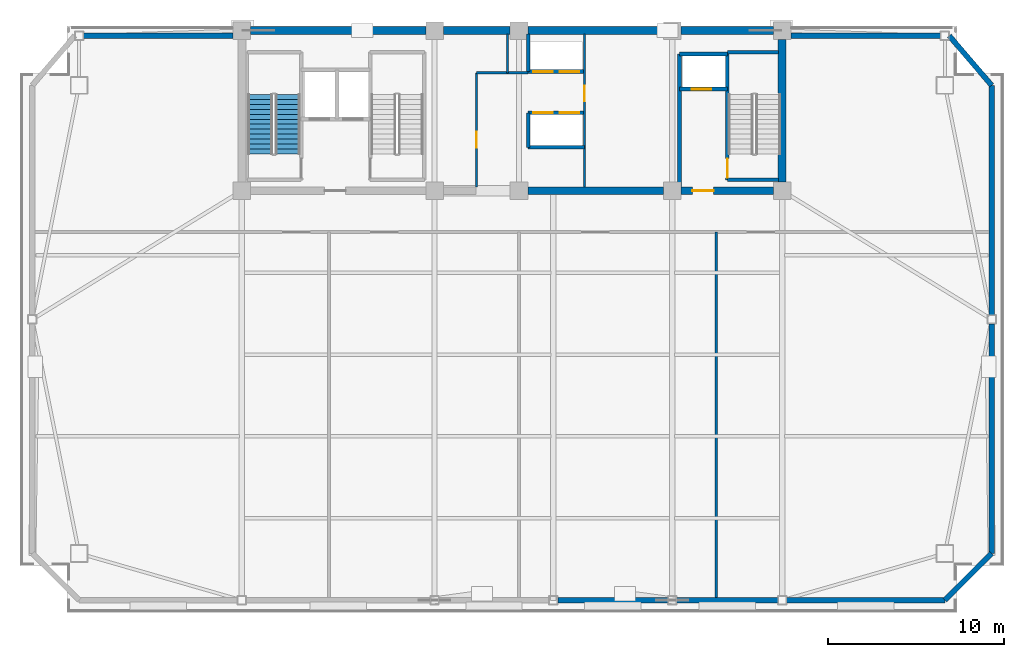
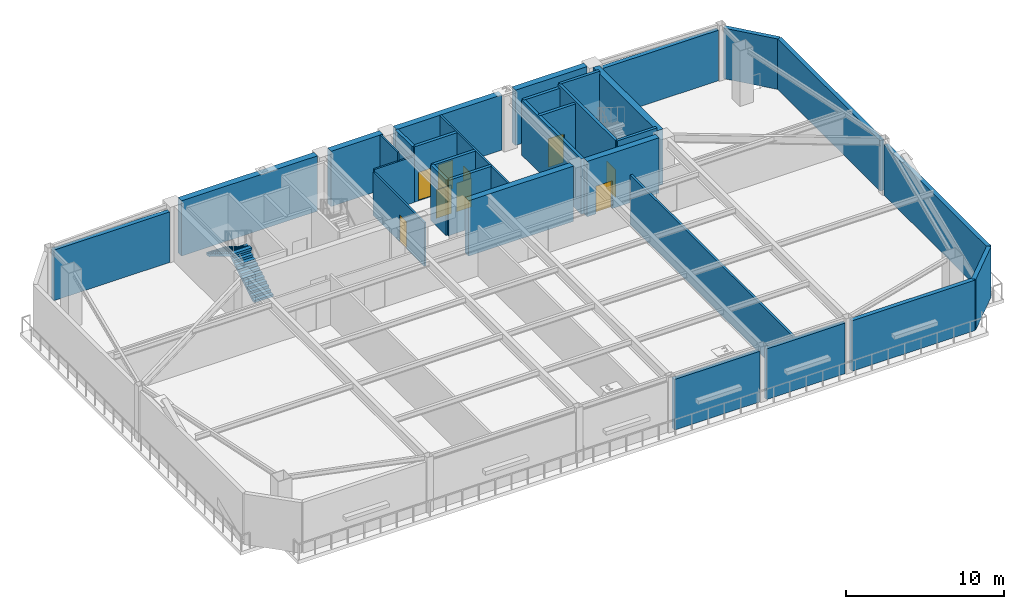
# One storey, part 3 of 9: 32 walls, 9 doors, 2 stair flights, 9 openings, 1 element without a shape of its own.
"""IFC4 building model written with IfcOpenShell, lengths in metres."""

from ifc_helpers import new_model, si_unit, direction, frame, frame_2d, origin, place, context, subcontext, project, spatial, polyline, rectangle, outline, extrude, source, transform, mapped, material, layer, layer_set, type_object, element, fill, aggregate, save


model = new_model("IFC4")

# Units and contexts
model_context = context("Model", 3, precision=1e-05, world=origin(), true_north=direction((0.0, 1.0)))
body_context = subcontext(model_context, "Body", "Model", "MODEL_VIEW")
ifc_project = project(units=[si_unit("LENGTHUNIT", "METRE"), si_unit("AREAUNIT", "SQUARE_METRE"), si_unit("VOLUMEUNIT", "CUBIC_METRE"), si_unit("PLANEANGLEUNIT", "RADIAN"), si_unit("MASSUNIT", "GRAM", prefix="KILO")], contexts=[model_context])

# Site, building, storey
site_placement = place(None, origin())
site = spatial("IfcSite", under=ifc_project, at=site_placement, CompositionType="ELEMENT")
building_placement = place(site_placement, origin())
building = spatial("IfcBuilding", under=site, at=building_placement, Name="Giltprow Tower", CompositionType="ELEMENT")
storey_placement = place(building_placement, frame((0.0, 0.0, 237.199951171875)))
storey = spatial("IfcBuildingStorey", under=building, at=storey_placement, Name="L60", CompositionType="ELEMENT", Elevation=237.199951171875)

# Walls
ifc_material_1 = material(Name="Precast concrete C40", Category="concrete")
ifc_layer_1 = layer(ifc_material_1, 0.300048828125, Name="Precast concrete C40")
ifc_layer_set_1 = layer_set([ifc_layer_1], Name="Precast concrete C40")
wall_type_1 = type_object("IfcWallType", Name="EW-NOTCH-CHAMFER-300", PredefinedType="SOLIDWALL", material=ifc_layer_set_1)
wall_1_placement = place(storey_placement, frame((59.791015625, 14.181884765625, 0.0), z_axis=(0.0, 0.0, 1.0), x_axis=(0.707074342864, 0.707139218021, 0.0)))
element("IfcWall", 1, at=wall_1_placement, inside=storey, type_object=wall_type_1, Name="L60 Corner Notch Wall SE", PredefinedType="SOLIDWALL", context=body_context, shape_type="SweptSolid", body=[
    extrude(rectangle(XDim=3.76318359375, YDim=0.300048828125, at=frame_2d((1.881591796875, 0.0))), origin(), (0.0, 0.0, 1.0), 3.9150390625),
])
wall_2_placement = place(storey_placement, frame((62.451904296875, 43.43896484375, 0.0), z_axis=(0.0, 0.0, 1.0), x_axis=(-0.651013940872, 0.759065773692, 0.0)))
element("IfcWall", 2, at=wall_2_placement, inside=storey, type_object=wall_type_1, Name="L60 Corner Notch Wall NE", PredefinedType="SOLIDWALL", context=body_context, shape_type="SweptSolid", body=[
    extrude(rectangle(XDim=3.703369140625, YDim=0.300048828125, at=frame_2d((1.8515625, 0.0))), origin(), (0.0, 0.0, 1.0), 3.9150390625),
])
ifc_layer_2 = layer(ifc_material_1, 0.300048828125, Name="Precast concrete C40")
ifc_layer_set_2 = layer_set([ifc_layer_2], Name="Precast concrete C40")
wall_type_2 = type_object("IfcWallType", Name="EW-REF-LOUVRE-300", PredefinedType="SOLIDWALL", material=ifc_layer_set_2)
wall_3_placement = place(storey_placement, frame((37.800048828125, 14.181884765625, 0.0), z_axis=(0.0, 0.0, 1.0), x_axis=(1.0, 0.0, 0.0)))
element("IfcWall", 3, at=wall_3_placement, inside=storey, type_object=wall_type_2, Name="L60 South Expressed Frame Wall 4", PredefinedType="SOLIDWALL", context=body_context, shape_type="SweptSolid", body=[
    extrude(rectangle(XDim=6.25, YDim=0.300048828125, at=frame_2d((3.125, 0.0))), origin(), (0.0, 0.0, 1.0), 3.9150390625),
])
wall_4_placement = place(storey_placement, frame((44.550048828125, 14.181884765625, 0.0), z_axis=(0.0, 0.0, 1.0), x_axis=(1.0, 0.0, 0.0)))
element("IfcWall", 4, at=wall_4_placement, inside=storey, type_object=wall_type_2, Name="L60 South Expressed Frame Wall 5", PredefinedType="SOLIDWALL", context=body_context, shape_type="SweptSolid", body=[
    extrude(rectangle(XDim=5.75, YDim=0.300048828125, at=frame_2d((2.875, 0.0))), origin(), (0.0, 0.0, 1.0), 3.9150390625),
])
wall_5_placement = place(storey_placement, frame((50.800048828125, 14.181884765625, 0.0), z_axis=(0.0, 0.0, 1.0), x_axis=(1.0, 0.0, 0.0)))
element("IfcWall", 5, at=wall_5_placement, inside=storey, type_object=wall_type_2, Name="L60 South Expressed Frame Wall 6", PredefinedType="SOLIDWALL", context=body_context, shape_type="SweptSolid", body=[
    extrude(rectangle(XDim=8.990966796875, YDim=0.300048828125, at=frame_2d((4.49560546875, 0.0))), origin(), (0.0, 0.0, 1.0), 3.9150390625),
])
wall_6_placement = place(storey_placement, frame((62.451904296875, 16.843017578125, 0.0), z_axis=(0.0, 0.0, 1.0), x_axis=(0.0, 1.0, 0.0)))
element("IfcWall", 6, at=wall_6_placement, inside=storey, type_object=wall_type_2, Name="L60 E Wing Masonry Wall 1", PredefinedType="SOLIDWALL", context=body_context, shape_type="SweptSolid", body=[
    extrude(rectangle(XDim=13.048095703125, YDim=0.300048828125, at=frame_2d((6.52392578125, 0.0))), origin(), (0.0, 0.0, 1.0), 3.9150390625),
])
wall_7_placement = place(storey_placement, frame((62.451904296875, 30.39111328125, 0.0), z_axis=(0.0, 0.0, 1.0), x_axis=(0.0, 1.0, 0.0)))
element("IfcWall", 7, at=wall_7_placement, inside=storey, type_object=wall_type_2, Name="L60 E Wing Masonry Wall 2", PredefinedType="SOLIDWALL", context=body_context, shape_type="SweptSolid", body=[
    extrude(rectangle(XDim=13.0478515625, YDim=0.300048828125, at=frame_2d((6.52392578125, 0.0))), origin(), (0.0, 0.0, 1.0), 3.9150390625),
])
wall_8_placement = place(storey_placement, frame((10.85888671875, 46.25, 0.0), z_axis=(0.0, 0.0, 1.0), x_axis=(1.0, 0.0, 0.0)))
element("IfcWall", 8, at=wall_8_placement, inside=storey, type_object=wall_type_2, Name="L60 North-West Wing Wall", PredefinedType="SOLIDWALL", context=body_context, shape_type="SweptSolid", body=[
    extrude(rectangle(XDim=8.4912109375, YDim=0.300048828125, at=frame_2d((4.24560546875, 0.0))), origin(), (0.0, 0.0, 1.0), 3.9150390625),
])
wall_9_placement = place(storey_placement, frame((51.050048828125, 46.25, 0.0), z_axis=(0.0, 0.0, 1.0), x_axis=(1.0, 0.0, 0.0)))
element("IfcWall", 9, at=wall_9_placement, inside=storey, type_object=wall_type_2, Name="L60 North-East Wing Wall", PredefinedType="SOLIDWALL", context=body_context, shape_type="SweptSolid", body=[
    extrude(rectangle(XDim=8.490966796875, YDim=0.300048828125, at=frame_2d((4.24560546875, 0.0))), origin(), (0.0, 0.0, 1.0), 3.9150390625),
])
ifc_material_2 = material(Name="Gypsum stud partition", Category="gypsum")
ifc_layer_3 = layer(ifc_material_2, 0.159912109375, Name="Gypsum stud partition")
ifc_layer_set_3 = layer_set([ifc_layer_3], Name="Gypsum stud partition")
wall_type_3 = type_object("IfcWallType", Name="IW-DEMISE-160", PredefinedType="PARTITIONING", material=ifc_layer_set_3)
wall_10_placement = place(storey_placement, frame((46.800048828125, 14.181884765625, 0.0), z_axis=(0.0, 0.0, 1.0), x_axis=(0.0, 1.0, 0.0)))
element("IfcWall", 10, at=wall_10_placement, inside=storey, type_object=wall_type_3, Name="L60 Refuge Compartment Wall 3", PredefinedType="PARTITIONING", context=body_context, shape_type="SweptSolid", body=[
    extrude(rectangle(XDim=20.918212890625, YDim=0.159912109375, at=frame_2d((10.458984375, 0.0))), origin(), (0.0, 0.0, 1.0), 3.8701171875),
])

# Wall, opening, door
ifc_material_3 = material(Name="Concrete C40", Category="concrete")
ifc_layer_4 = layer(ifc_material_3, 0.219970703125, Name="Concrete C40")
ifc_layer_set_4 = layer_set([ifc_layer_4], Name="Concrete C40")
wall_type_4 = type_object("IfcWallType", Name="IW-SHAFT-220", PredefinedType="SOLIDWALL", material=ifc_layer_set_4)
wall_11_placement = place(storey_placement, frame((44.719970703125, 43.219970703125, 0.0), z_axis=(0.0, 0.0, 1.0), x_axis=(1.0, 0.0, 0.0)))
wall_11 = element("IfcWall", 11, at=wall_11_placement, inside=storey, type_object=wall_type_4, Name="L60 FFL2 Front Shaft Wall", PredefinedType="SOLIDWALL", context=body_context, shape_type="SweptSolid", body=[
    extrude(rectangle(XDim=2.719970703125, YDim=0.219970703125, at=frame_2d((1.35986328125, 0.0))), origin(), (0.0, 0.0, 1.0), 4.28515625),
])
opening_1_placement = place(wall_11_placement, frame((0.699951171875, 0.0, 0.0)))
opening_1 = element("IfcOpeningElement", 12, at=opening_1_placement, cuts=wall_11, Name="Opening LD-11", PredefinedType="OPENING", context=body_context, shape_type="SweptSolid", body=[
    extrude(rectangle(XDim=1.10009765625, YDim=2.199951171875, at=frame_2d((0.550048828125, 1.10009765625))), frame((0.0, 0.119873046875, 0.0), z_axis=(0.0, -1.0, 0.0), x_axis=(1.0, 0.0, 0.0)), (0.0, 0.0, 1.0), 0.239990234375),
])
ifc_material_4 = material(Name="Stainless steel", Category="steel")
door_type_1 = type_object("IfcDoorType", Name="DR-LIFT-LD1100", OperationType="SLIDING_TO_LEFT", PredefinedType="DOOR", material=ifc_material_4)
shared_shape_1 = source(origin(), body_context, "Body", "SweptSolid", [
    extrude(rectangle(XDim=1.10009765625, YDim=2.199951171875, at=frame_2d((0.550048828125, 1.10009765625))), frame((0.0, 0.02490234375, 0.0), z_axis=(0.0, -1.0, 0.0), x_axis=(1.0, 0.0, 0.0)), (0.0, 0.0, 1.0), 0.050048828125),
])
door_1_placement = place(opening_1_placement, origin())
door_1 = element("IfcDoor", 13, at=door_1_placement, inside=storey, type_object=door_type_1, Name="L60 FFL2 Landing Door", OperationType="SLIDING_TO_LEFT", OverallHeight=2.199951171875, OverallWidth=1.10009765625, PredefinedType="DOOR", context=body_context, shape_type="MappedRepresentation", body=[
    mapped(shared_shape_1, transform((0.0, 0.0, 0.0), x_axis=(1.0, 0.0, 0.0), y_axis=(0.0, 1.0, 0.0), z_axis=(0.0, 0.0, 1.0), scale=1.0)),
])
fill(opening_1, door_1)

# Walls
wall_12_placement = place(storey_placement, frame((44.719970703125, 45.219970703125, 0.0), z_axis=(0.0, 0.0, 1.0), x_axis=(1.0, 0.0, 0.0)))
element("IfcWall", 14, at=wall_12_placement, inside=storey, type_object=wall_type_4, Name="L60 FFL2 Back Shaft Wall", PredefinedType="SOLIDWALL", context=body_context, shape_type="SweptSolid", body=[
    extrude(rectangle(XDim=2.719970703125, YDim=0.219970703125, at=frame_2d((1.35986328125, 0.0))), origin(), (0.0, 0.0, 1.0), 4.28515625),
])
wall_13_placement = place(storey_placement, frame((44.719970703125, 37.655029296875, 0.0), z_axis=(0.0, 0.0, 1.0), x_axis=(0.0, 1.0, 0.0)))
element("IfcWall", 15, at=wall_13_placement, inside=storey, type_object=wall_type_4, Name="L60 East Firefighting Lobby West Wall", PredefinedType="SOLIDWALL", context=body_context, shape_type="SweptSolid", body=[
    extrude(rectangle(XDim=7.56494140625, YDim=0.219970703125, at=frame_2d((3.782470703125, 0.0))), origin(), (0.0, 0.0, 1.0), 4.28515625),
])

# Wall, openings, doors
wall_14_placement = place(storey_placement, frame((36.1201171875, 44.219970703125, 0.0), z_axis=(0.0, 0.0, 1.0), x_axis=(1.0, 0.0, 0.0)))
wall_14 = element("IfcWall", 16, at=wall_14_placement, inside=storey, type_object=wall_type_4, Name="L60 High-Rise Lift Shaft Front Wall N", PredefinedType="SOLIDWALL", context=body_context, shape_type="SweptSolid", body=[
    extrude(rectangle(XDim=3.199951171875, YDim=0.219970703125, at=frame_2d((1.60009765625, 0.0))), origin(), (0.0, 0.0, 1.0), 4.28515625),
])
opening_2_placement = place(wall_14_placement, frame((0.300048828125, 0.0, 0.0)))
opening_2 = element("IfcOpeningElement", 17, at=opening_2_placement, cuts=wall_14, Name="Opening LD-11", PredefinedType="OPENING", context=body_context, shape_type="SweptSolid", body=[
    extrude(rectangle(XDim=1.10009765625, YDim=2.199951171875, at=frame_2d((0.550048828125, 1.10009765625))), frame((0.0, 0.119873046875, 0.0), z_axis=(0.0, -1.0, 0.0), x_axis=(1.0, 0.0, 0.0)), (0.0, 0.0, 1.0), 0.239990234375),
])
opening_3_placement = place(wall_14_placement, frame((1.7900390625, 0.0, 0.0)))
opening_3 = element("IfcOpeningElement", 18, at=opening_3_placement, cuts=wall_14, Name="Opening LD-11", PredefinedType="OPENING", context=body_context, shape_type="SweptSolid", body=[
    extrude(rectangle(XDim=1.10009765625, YDim=2.199951171875, at=frame_2d((0.550048828125, 1.10009765625))), frame((0.0, 0.119873046875, 0.0), z_axis=(0.0, -1.0, 0.0), x_axis=(1.0, 0.0, 0.0)), (0.0, 0.0, 1.0), 0.239990234375),
])
door_2_placement = place(opening_2_placement, origin())
door_2 = element("IfcDoor", 19, at=door_2_placement, inside=storey, type_object=door_type_1, Name="L60 PL-H1 Landing Door", OperationType="SLIDING_TO_LEFT", OverallHeight=2.199951171875, OverallWidth=1.10009765625, PredefinedType="DOOR", context=body_context, shape_type="MappedRepresentation", body=[
    mapped(shared_shape_1, transform((0.0, 0.0, 0.0), x_axis=(1.0, 0.0, 0.0), y_axis=(0.0, 1.0, 0.0), z_axis=(0.0, 0.0, 1.0), scale=1.0)),
])
fill(opening_2, door_2)
door_3_placement = place(opening_3_placement, origin())
door_3 = element("IfcDoor", 20, at=door_3_placement, inside=storey, type_object=door_type_1, Name="L60 PL-H2 Landing Door", OperationType="SLIDING_TO_LEFT", OverallHeight=2.199951171875, OverallWidth=1.10009765625, PredefinedType="DOOR", context=body_context, shape_type="MappedRepresentation", body=[
    mapped(shared_shape_1, transform((0.0, 0.0, 0.0), x_axis=(1.0, 0.0, 0.0), y_axis=(0.0, 1.0, 0.0), z_axis=(0.0, 0.0, 1.0), scale=1.0)),
])
fill(opening_3, door_3)

wall_15_placement = place(storey_placement, frame((36.1201171875, 41.8798828125, 0.0), z_axis=(0.0, 0.0, 1.0), x_axis=(1.0, 0.0, 0.0)))
wall_15 = element("IfcWall", 21, at=wall_15_placement, inside=storey, type_object=wall_type_4, Name="L60 High-Rise Lift Shaft Front Wall S", PredefinedType="SOLIDWALL", context=body_context, shape_type="SweptSolid", body=[
    extrude(rectangle(XDim=3.199951171875, YDim=0.219970703125, at=frame_2d((1.60009765625, 0.0))), origin(), (0.0, 0.0, 1.0), 4.28515625),
])
opening_4_placement = place(wall_15_placement, frame((0.300048828125, 0.0, 0.0)))
opening_4 = element("IfcOpeningElement", 22, at=opening_4_placement, cuts=wall_15, Name="Opening LD-11", PredefinedType="OPENING", context=body_context, shape_type="SweptSolid", body=[
    extrude(rectangle(XDim=1.10009765625, YDim=2.199951171875, at=frame_2d((0.550048828125, 1.10009765625))), frame((0.0, 0.119873046875, 0.0), z_axis=(0.0, -1.0, 0.0), x_axis=(1.0, 0.0, 0.0)), (0.0, 0.0, 1.0), 0.239990234375),
])
opening_5_placement = place(wall_15_placement, frame((1.7900390625, 0.0, 0.0)))
opening_5 = element("IfcOpeningElement", 23, at=opening_5_placement, cuts=wall_15, Name="Opening LD-11", PredefinedType="OPENING", context=body_context, shape_type="SweptSolid", body=[
    extrude(rectangle(XDim=1.10009765625, YDim=2.199951171875, at=frame_2d((0.550048828125, 1.10009765625))), frame((0.0, 0.119873046875, 0.0), z_axis=(0.0, -1.0, 0.0), x_axis=(1.0, 0.0, 0.0)), (0.0, 0.0, 1.0), 0.239990234375),
])
door_4_placement = place(opening_4_placement, origin())
door_4 = element("IfcDoor", 24, at=door_4_placement, inside=storey, type_object=door_type_1, Name="L60 PL-H3 Landing Door", OperationType="SLIDING_TO_LEFT", OverallHeight=2.199951171875, OverallWidth=1.10009765625, PredefinedType="DOOR", context=body_context, shape_type="MappedRepresentation", body=[
    mapped(shared_shape_1, transform((0.0, 0.0, 0.0), x_axis=(1.0, 0.0, 0.0), y_axis=(0.0, 1.0, 0.0), z_axis=(0.0, 0.0, 1.0), scale=1.0)),
])
fill(opening_4, door_4)
door_5_placement = place(opening_5_placement, origin())
door_5 = element("IfcDoor", 25, at=door_5_placement, inside=storey, type_object=door_type_1, Name="L60 PL-H4 Landing Door", OperationType="SLIDING_TO_LEFT", OverallHeight=2.199951171875, OverallWidth=1.10009765625, PredefinedType="DOOR", context=body_context, shape_type="MappedRepresentation", body=[
    mapped(shared_shape_1, transform((0.0, 0.0, 0.0), x_axis=(1.0, 0.0, 0.0), y_axis=(0.0, 1.0, 0.0), z_axis=(0.0, 0.0, 1.0), scale=1.0)),
])
fill(opening_5, door_5)

# Walls
wall_16_placement = place(storey_placement, frame((36.1201171875, 39.919921875, 0.0), z_axis=(0.0, 0.0, 1.0), x_axis=(1.0, 0.0, 0.0)))
element("IfcWall", 26, at=wall_16_placement, inside=storey, type_object=wall_type_4, Name="L60 High-Rise South Lift Back Wall", PredefinedType="SOLIDWALL", context=body_context, shape_type="SweptSolid", body=[
    extrude(rectangle(XDim=3.199951171875, YDim=0.219970703125, at=frame_2d((1.60009765625, 0.0))), origin(), (0.0, 0.0, 1.0), 4.28515625),
])
wall_17_placement = place(storey_placement, frame((36.1201171875, 39.919921875, 0.0), z_axis=(0.0, 0.0, 1.0), x_axis=(0.0, 1.0, 0.0)))
element("IfcWall", 27, at=wall_17_placement, inside=storey, type_object=wall_type_4, Name="L60 High-Rise South Lift West Closure", PredefinedType="SOLIDWALL", context=body_context, shape_type="SweptSolid", body=[
    extrude(rectangle(XDim=1.9599609375, YDim=0.219970703125, at=frame_2d((0.97998046875, 0.0))), origin(), (0.0, 0.0, 1.0), 4.28515625),
])
wall_18_placement = place(storey_placement, frame((36.1201171875, 44.219970703125, 0.0), z_axis=(0.0, 0.0, 1.0), x_axis=(0.0, 1.0, 0.0)))
element("IfcWall", 28, at=wall_18_placement, inside=storey, type_object=wall_type_4, Name="L60 High-Rise North Lift West Closure", PredefinedType="SOLIDWALL", context=body_context, shape_type="SweptSolid", body=[
    extrude(rectangle(XDim=2.125, YDim=0.219970703125, at=frame_2d((1.0625, 0.0))), origin(), (0.0, 0.0, 1.0), 4.28515625),
])

# Wall, opening, door
ifc_layer_5 = layer(ifc_material_3, 0.199951171875, Name="Concrete C40")
ifc_layer_set_5 = layer_set([ifc_layer_5], Name="Concrete C40")
wall_type_5 = type_object("IfcWallType", Name="IW-STAIR-200", PredefinedType="SOLIDWALL", material=ifc_layer_set_5)
wall_19_placement = place(storey_placement, frame((47.43994140625, 38.070068359375, 0.0), z_axis=(0.0, 0.0, 1.0), x_axis=(0.0, 1.0, 0.0)))
wall_19 = element("IfcWall", 29, at=wall_19_placement, inside=storey, type_object=wall_type_5, Name="L60 Stair ST-3 West Bearing Wall", PredefinedType="SOLIDWALL", context=body_context, shape_type="SweptSolid", body=[
    extrude(rectangle(XDim=7.25, YDim=0.199951171875, at=frame_2d((3.625, 0.0))), origin(), (0.0, 0.0, 1.0), 4.5),
])
opening_6_placement = place(wall_19_placement, frame((0.110107421875, 0.0, 0.0)))
opening_6 = element("IfcOpeningElement", 30, at=opening_6_placement, cuts=wall_19, Name="Opening ID33", PredefinedType="OPENING", context=body_context, shape_type="SweptSolid", body=[
    extrude(rectangle(XDim=1.10009765625, YDim=2.14990234375, at=frame_2d((0.550048828125, 1.074951171875))), frame((0.0, 0.10986328125, 0.0), z_axis=(0.0, -1.0, 0.0), x_axis=(1.0, 0.0, 0.0)), (0.0, 0.0, 1.0), 0.219970703125),
])
ifc_material_5 = material(Name="Steel fire leaf", Category="steel")
door_type_2 = type_object("IfcDoorType", Name="DR-STAIR-1100", OperationType="SINGLE_SWING_LEFT", PredefinedType="DOOR", material=ifc_material_5)
shared_shape_2 = source(origin(), body_context, "Body", "SweptSolid", [
    extrude(rectangle(XDim=1.10009765625, YDim=2.14990234375, at=frame_2d((0.550048828125, 1.074951171875))), frame((0.0, 0.02490234375, 0.0), z_axis=(0.0, -1.0, 0.0), x_axis=(1.0, 0.0, 0.0)), (0.0, 0.0, 1.0), 0.050048828125),
])
door_6_placement = place(opening_6_placement, origin())
door_6 = element("IfcDoor", 31, at=door_6_placement, inside=storey, type_object=door_type_2, Name="L60 Stair ST-3 Fire Door", OperationType="SINGLE_SWING_RIGHT", OverallHeight=2.14990234375, OverallWidth=1.10009765625, PredefinedType="DOOR", context=body_context, shape_type="MappedRepresentation", body=[
    mapped(shared_shape_2, transform((0.0, 0.0, 0.0), x_axis=(1.0, 0.0, 0.0), y_axis=(0.0, 1.0, 0.0), z_axis=(0.0, 0.0, 1.0), scale=1.0)),
])
fill(opening_6, door_6)

# Walls
for number, where, z_axis, x_axis, name in (
    (32, (47.43994140625, 45.320068359375, 0.0), (0.0, 0.0, 1.0), (1.0, 0.0, 0.0), "L60 Stair ST-3 North Bearing Wall"),
    (33, (47.43994140625, 38.070068359375, 0.0), (0.0, 0.0, 1.0), (1.0, 0.0, 0.0), "L60 Stair ST-3 South Bearing Wall"),
):
    element("IfcWall", number, at=place(storey_placement, frame(where, z_axis=z_axis, x_axis=x_axis)), inside=storey, type_object=wall_type_5, Name=name, PredefinedType="SOLIDWALL", context=body_context, shape_type="SweptSolid", body=[
        extrude(rectangle(XDim=2.905029296875, YDim=0.199951171875, at=frame_2d((1.45263671875, 0.0))), origin(), (0.0, 0.0, 1.0), 4.5),
    ])

# Wall, opening, door
ifc_material_6 = material(Name="Concrete C30", Category="concrete")
ifc_layer_6 = layer(ifc_material_6, 0.1298828125, Name="Concrete C30")
ifc_layer_set_6 = layer_set([ifc_layer_6], Name="Concrete C30")
wall_type_6 = type_object("IfcWallType", Name="IW-WET-130", PredefinedType="PARTITIONING", material=ifc_layer_set_6)
wall_20_placement = place(storey_placement, frame((33.179931640625, 37.655029296875, 0.0), z_axis=(0.0, 0.0, 1.0), x_axis=(0.0, 1.0, 0.0)))
wall_20 = element("IfcWall", 34, at=wall_20_placement, inside=storey, type_object=wall_type_6, Name="L60 Reclaimed West Core Wall", PredefinedType="PARTITIONING", context=body_context, shape_type="SweptSolid", body=[
    extrude(rectangle(XDim=6.494873046875, YDim=0.1298828125, at=frame_2d((3.24755859375, 0.0))), origin(), (0.0, 0.0, 1.0), 3.3701171875),
])
opening_7_placement = place(wall_20_placement, frame((2.2451171875, 0.0, 0.0)))
opening_7 = element("IfcOpeningElement", 35, at=opening_7_placement, cuts=wall_20, Name="Opening ID35", PredefinedType="OPENING", context=body_context, shape_type="SweptSolid", body=[
    extrude(rectangle(XDim=0.89990234375, YDim=2.10009765625, at=frame_2d((0.449951171875, 1.050048828125))), frame((0.0, 0.074951171875, 0.0), z_axis=(0.0, -1.0, 0.0), x_axis=(1.0, 0.0, 0.0)), (0.0, 0.0, 1.0), 0.14990234375),
])
door_type_3 = type_object("IfcDoorType", Name="DR-SHAFT-900", OperationType="SINGLE_SWING_LEFT", PredefinedType="DOOR", material=ifc_material_5)
shared_shape_3 = source(origin(), body_context, "Body", "SweptSolid", [
    extrude(rectangle(XDim=0.89990234375, YDim=2.10009765625, at=frame_2d((0.449951171875, 1.050048828125))), frame((0.0, 0.02490234375, 0.0), z_axis=(0.0, -1.0, 0.0), x_axis=(1.0, 0.0, 0.0)), (0.0, 0.0, 1.0), 0.050048828125),
])
door_7_placement = place(opening_7_placement, origin())
door_7 = element("IfcDoor", 36, at=door_7_placement, inside=storey, type_object=door_type_3, Name="L60 Core Accessible Washroom Door", OperationType="SINGLE_SWING_LEFT", OverallHeight=2.10009765625, OverallWidth=0.89990234375, PredefinedType="DOOR", context=body_context, shape_type="MappedRepresentation", body=[
    mapped(shared_shape_3, transform((0.0, 0.0, 0.0), x_axis=(1.0, 0.0, 0.0), y_axis=(0.0, 1.0, 0.0), z_axis=(0.0, 0.0, 1.0), scale=1.0)),
])
fill(opening_7, door_7)

# Walls
wall_21_placement = place(storey_placement, frame((34.949951171875, 44.14990234375, 0.0), z_axis=(0.0, 0.0, 1.0), x_axis=(0.0, 1.0, 0.0)))
element("IfcWall", 37, at=wall_21_placement, inside=storey, type_object=wall_type_6, Name="L60 Reclaimed West Pocket Wall E", PredefinedType="PARTITIONING", context=body_context, shape_type="SweptSolid", body=[
    extrude(rectangle(XDim=2.195068359375, YDim=0.1298828125, at=frame_2d((1.09765625, 0.0))), origin(), (0.0, 0.0, 1.0), 4.28515625),
])
wall_22_placement = place(storey_placement, frame((33.179931640625, 44.14990234375, 0.0), z_axis=(0.0, 0.0, 1.0), x_axis=(1.0, 0.0, 0.0)))
element("IfcWall", 38, at=wall_22_placement, inside=storey, type_object=wall_type_6, Name="L60 Reclaimed West Pocket Wall S", PredefinedType="PARTITIONING", context=body_context, shape_type="SweptSolid", body=[
    extrude(rectangle(XDim=2.940185546875, YDim=0.1298828125, at=frame_2d((1.47021484375, 0.0))), origin(), (0.0, 0.0, 1.0), 3.570068359375),
])

# Wall, opening, door
wall_23_placement = place(storey_placement, frame((39.320068359375, 37.655029296875, 0.0), z_axis=(0.0, 0.0, 1.0), x_axis=(0.0, 1.0, 0.0)))
wall_23 = element("IfcWall", 39, at=wall_23_placement, inside=storey, type_object=wall_type_6, Name="L60 Reclaimed East Core Wall", PredefinedType="PARTITIONING", context=body_context, shape_type="SweptSolid", body=[
    extrude(rectangle(XDim=8.68994140625, YDim=0.1298828125, at=frame_2d((4.344970703125, 0.0))), origin(), (0.0, 0.0, 1.0), 4.28515625),
])
opening_8_placement = place(wall_23_placement, frame((4.864990234375, 0.0, 0.0)))
opening_8 = element("IfcOpeningElement", 40, at=opening_8_placement, cuts=wall_23, Name="Opening ID35", PredefinedType="OPENING", context=body_context, shape_type="SweptSolid", body=[
    extrude(rectangle(XDim=0.89990234375, YDim=2.10009765625, at=frame_2d((0.449951171875, 1.050048828125))), frame((0.0, 0.074951171875, 0.0), z_axis=(0.0, -1.0, 0.0), x_axis=(1.0, 0.0, 0.0)), (0.0, 0.0, 1.0), 0.14990234375),
])
door_8_placement = place(opening_8_placement, origin())
door_8 = element("IfcDoor", 41, at=door_8_placement, inside=storey, type_object=door_type_3, Name="L60 Core Concierge Parcel Store Door", OperationType="SINGLE_SWING_RIGHT", OverallHeight=2.10009765625, OverallWidth=0.89990234375, PredefinedType="DOOR", context=body_context, shape_type="MappedRepresentation", body=[
    mapped(shared_shape_3, transform((0.0, 0.0, 0.0), x_axis=(1.0, 0.0, 0.0), y_axis=(0.0, 1.0, 0.0), z_axis=(0.0, 0.0, 1.0), scale=1.0)),
])
fill(opening_8, door_8)

# Walls
ifc_material_7 = material(Name="Concrete C50", Category="concrete")
ifc_layer_7 = layer(ifc_material_7, 0.449951171875, Name="Concrete C50")
ifc_layer_set_7 = layer_set([ifc_layer_7], Name="Concrete C50")
wall_type_7 = type_object("IfcWallType", Name="SW-EXT-450-C50", PredefinedType="SHEAR", material=ifc_layer_set_7)
wall_24_placement = place(storey_placement, frame((20.35009765625, 46.550048828125, 0.0), z_axis=(0.0, 0.0, 1.0), x_axis=(1.0, 0.0, 0.0)))
element("IfcWall", 42, at=wall_24_placement, inside=storey, type_object=wall_type_7, Name="L60 North Rear Core Shear Wall 1", PredefinedType="SHEAR", context=body_context, shape_type="SweptSolid", body=[
    extrude(rectangle(XDim=9.949951171875, YDim=0.449951171875, at=frame_2d((4.97509765625, 0.0))), origin(), (0.0, 0.0, 1.0), 4.28515625),
])
wall_25_placement = place(storey_placement, frame((31.300048828125, 46.550048828125, 0.0), z_axis=(0.0, 0.0, 1.0), x_axis=(1.0, 0.0, 0.0)))
element("IfcWall", 43, at=wall_25_placement, inside=storey, type_object=wall_type_7, Name="L60 North Rear Core Shear Wall 2", PredefinedType="SHEAR", context=body_context, shape_type="SweptSolid", body=[
    extrude(rectangle(XDim=3.800048828125, YDim=0.449951171875, at=frame_2d((1.89990234375, 0.0))), origin(), (0.0, 0.0, 1.0), 4.28515625),
])
wall_26_placement = place(storey_placement, frame((36.10009765625, 46.550048828125, 0.0), z_axis=(0.0, 0.0, 1.0), x_axis=(1.0, 0.0, 0.0)))
element("IfcWall", 44, at=wall_26_placement, inside=storey, type_object=wall_type_7, Name="L60 North Rear Core Shear Wall 3", PredefinedType="SHEAR", context=body_context, shape_type="SweptSolid", body=[
    extrude(rectangle(XDim=7.699951171875, YDim=0.449951171875, at=frame_2d((3.85009765625, 0.0))), origin(), (0.0, 0.0, 1.0), 4.28515625),
])
wall_27_placement = place(storey_placement, frame((44.800048828125, 46.550048828125, 0.0), z_axis=(0.0, 0.0, 1.0), x_axis=(1.0, 0.0, 0.0)))
element("IfcWall", 45, at=wall_27_placement, inside=storey, type_object=wall_type_7, Name="L60 North Rear Core Shear Wall 4", PredefinedType="SHEAR", context=body_context, shape_type="SweptSolid", body=[
    extrude(rectangle(XDim=5.25, YDim=0.449951171875, at=frame_2d((2.625, 0.0))), origin(), (0.0, 0.0, 1.0), 4.28515625),
])
ifc_layer_8 = layer(ifc_material_7, 0.449951171875, Name="Concrete C50")
ifc_layer_set_8 = layer_set([ifc_layer_8], Name="Concrete C50")
wall_type_8 = type_object("IfcWallType", Name="SW-INT-450-C50", PredefinedType="SHEAR", material=ifc_layer_set_8)
wall_28_placement = place(storey_placement, frame((36.10009765625, 37.449951171875, 0.0), z_axis=(0.0, 0.0, 1.0), x_axis=(1.0, 0.0, 0.0)))
element("IfcWall", 46, at=wall_28_placement, inside=storey, type_object=wall_type_8, Name="L60 South Rear Core Shear Wall Mid-East", PredefinedType="SHEAR", context=body_context, shape_type="SweptSolid", body=[
    extrude(rectangle(XDim=7.699951171875, YDim=0.449951171875, at=frame_2d((3.85009765625, 0.0))), origin(), (0.0, 0.0, 1.0), 4.28515625),
])

# Wall, opening, door
wall_29_placement = place(storey_placement, frame((44.800048828125, 37.449951171875, 0.0), z_axis=(0.0, 0.0, 1.0), x_axis=(1.0, 0.0, 0.0)))
wall_29 = element("IfcWall", 47, at=wall_29_placement, inside=storey, type_object=wall_type_8, Name="L60 South Rear Core Shear Wall East", PredefinedType="SHEAR", context=body_context, shape_type="SweptSolid", body=[
    extrude(rectangle(XDim=5.25, YDim=0.449951171875, at=frame_2d((2.625, 0.0))), origin(), (0.0, 0.0, 1.0), 4.28515625),
])
opening_9_placement = place(wall_29_placement, frame((0.64990234375, 0.0, 0.0)))
opening_9 = element("IfcOpeningElement", 48, at=opening_9_placement, cuts=wall_29, Name="Opening ID19", PredefinedType="OPENING", context=body_context, shape_type="SweptSolid", body=[
    extrude(rectangle(XDim=1.199951171875, YDim=2.14990234375, at=frame_2d((0.60009765625, 1.074951171875))), frame((0.0, 0.23486328125, 0.0), z_axis=(0.0, -1.0, 0.0), x_axis=(1.0, 0.0, 0.0)), (0.0, 0.0, 1.0), 0.469970703125),
])
door_type_4 = type_object("IfcDoorType", Name="DR-FFLOBBY-1200", OperationType="SINGLE_SWING_RIGHT", PredefinedType="DOOR", material=ifc_material_5)
shared_shape_4 = source(origin(), body_context, "Body", "SweptSolid", [
    extrude(rectangle(XDim=1.199951171875, YDim=2.14990234375, at=frame_2d((0.60009765625, 1.074951171875))), frame((0.0, 0.02490234375, 0.0), z_axis=(0.0, -1.0, 0.0), x_axis=(1.0, 0.0, 0.0)), (0.0, 0.0, 1.0), 0.050048828125),
])
door_9_placement = place(opening_9_placement, origin())
door_9 = element("IfcDoor", 49, at=door_9_placement, inside=storey, type_object=door_type_4, Name="L60 East Firefighting Lobby Entry Door", OperationType="SINGLE_SWING_RIGHT", OverallHeight=2.14990234375, OverallWidth=1.199951171875, PredefinedType="DOOR", context=body_context, shape_type="MappedRepresentation", body=[
    mapped(shared_shape_4, transform((0.0, 0.0, 0.0), x_axis=(1.0, 0.0, 0.0), y_axis=(0.0, 1.0, 0.0), z_axis=(0.0, 0.0, 1.0), scale=1.0)),
])
fill(opening_9, door_9)

# Wall
wall_30_placement = place(storey_placement, frame((50.550048828125, 37.949951171875, 0.0), z_axis=(0.0, 0.0, 1.0), x_axis=(0.0, 1.0, 0.0)))
element("IfcWall", 50, at=wall_30_placement, inside=storey, type_object=wall_type_8, Name="L60 E Rear Core Shear Wall", PredefinedType="SHEAR", context=body_context, shape_type="SweptSolid", body=[
    extrude(rectangle(XDim=8.10009765625, YDim=0.449951171875, at=frame_2d((4.050048828125, 0.0))), origin(), (0.0, 0.0, 1.0), 4.28515625),
])

# Stair, stair flights
stair_type = type_object("IfcStairType", Name="STR-ST-1", PredefinedType="HALF_TURN_STAIR", material=ifc_material_3)
stair_placement = place(storey_placement, origin())
stair = element("IfcStair", 51, at=stair_placement, inside=storey, type_object=stair_type, Name="L60 Core Exit Stair ST-1", PredefinedType="HALF_TURN_STAIR")
stair_flight_type = type_object("IfcStairFlightType", Name="SFL-ST-1", PredefinedType="STRAIGHT", material=ifc_material_3)
stair_flight_1_placement = place(storey_placement, frame((22.4599609375, 39.550048828125, 0.0), z_axis=(0.0, 0.0, 1.0), x_axis=(0.0, 1.0, 0.0)))
stair_flight_1 = element("IfcStairFlight", 52, at=stair_flight_1_placement, type_object=stair_flight_type, Name="ST-1 flight 1", NumberOfRisers=13, NumberOfTreads=12, PredefinedType="STRAIGHT", RiserHeight=0.173076923, TreadLength=0.28, context=body_context, shape_type="SweptSolid", body=[
    extrude(outline(polyline([(0.0, 0.0), (0.0, 0.173095703125), (0.280029296875, 0.173095703125), (0.280029296875, 0.34619140625), (0.56005859375, 0.34619140625), (0.56005859375, 0.519287109375), (0.840087890625, 0.519287109375), (0.840087890625, 0.6923828125), (1.1201171875, 0.6923828125), (1.1201171875, 0.865478515625), (1.39990234375, 0.865478515625), (1.39990234375, 1.03857421875), (1.679931640625, 1.03857421875), (1.679931640625, 1.21142578125), (1.9599609375, 1.21142578125), (1.9599609375, 1.384521484375), (2.239990234375, 1.384521484375), (2.239990234375, 1.5576171875), (2.52001953125, 1.5576171875), (2.52001953125, 1.730712890625), (2.800048828125, 1.730712890625), (2.800048828125, 1.90380859375), (3.080078125, 1.90380859375), (3.080078125, 2.076904296875), (3.360107421875, 2.076904296875), (3.360107421875, 2.25), (3.360107421875, 1.900634765625), (0.28515625, 0.0), (0.0, 0.0)])), frame((0.0, 0.699951171875, 0.0), z_axis=(0.0, -1.0, 0.0), x_axis=(1.0, 0.0, 0.0)), (0.0, 0.0, 1.0), 1.39990234375),
])
stair_flight_2_placement = place(storey_placement, frame((20.89990234375, 42.909912109375, 2.25), z_axis=(0.0, 0.0, 1.0), x_axis=(0.0, -1.0, 0.0)))
stair_flight_2 = element("IfcStairFlight", 53, at=stair_flight_2_placement, type_object=stair_flight_type, Name="ST-1 flight 2", NumberOfRisers=13, NumberOfTreads=12, PredefinedType="STRAIGHT", RiserHeight=0.173076923, TreadLength=0.28, context=body_context, shape_type="SweptSolid", body=[
    extrude(outline(polyline([(0.0, 0.0), (0.0, 0.173095703125), (0.280029296875, 0.173095703125), (0.280029296875, 0.34619140625), (0.56005859375, 0.34619140625), (0.56005859375, 0.519287109375), (0.840087890625, 0.519287109375), (0.840087890625, 0.6923828125), (1.1201171875, 0.6923828125), (1.1201171875, 0.865478515625), (1.39990234375, 0.865478515625), (1.39990234375, 1.03857421875), (1.679931640625, 1.03857421875), (1.679931640625, 1.21142578125), (1.9599609375, 1.21142578125), (1.9599609375, 1.384521484375), (2.239990234375, 1.384521484375), (2.239990234375, 1.5576171875), (2.52001953125, 1.5576171875), (2.52001953125, 1.730712890625), (2.800048828125, 1.730712890625), (2.800048828125, 1.90380859375), (3.080078125, 1.90380859375), (3.080078125, 2.076904296875), (3.360107421875, 2.076904296875), (3.360107421875, 2.25), (3.360107421875, 1.900634765625), (0.28515625, 0.0), (0.0, 0.0)])), frame((0.0, 0.699951171875, 0.0), z_axis=(0.0, -1.0, 0.0), x_axis=(1.0, 0.0, 0.0)), (0.0, 0.0, 1.0), 1.39990234375),
])
aggregate(stair, [stair_flight_1, stair_flight_2])

save(model, "model.ifc")
